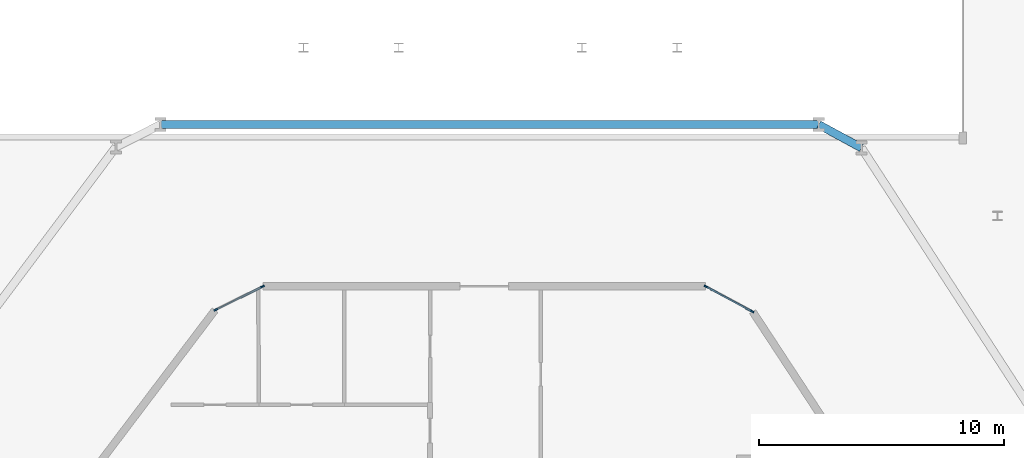
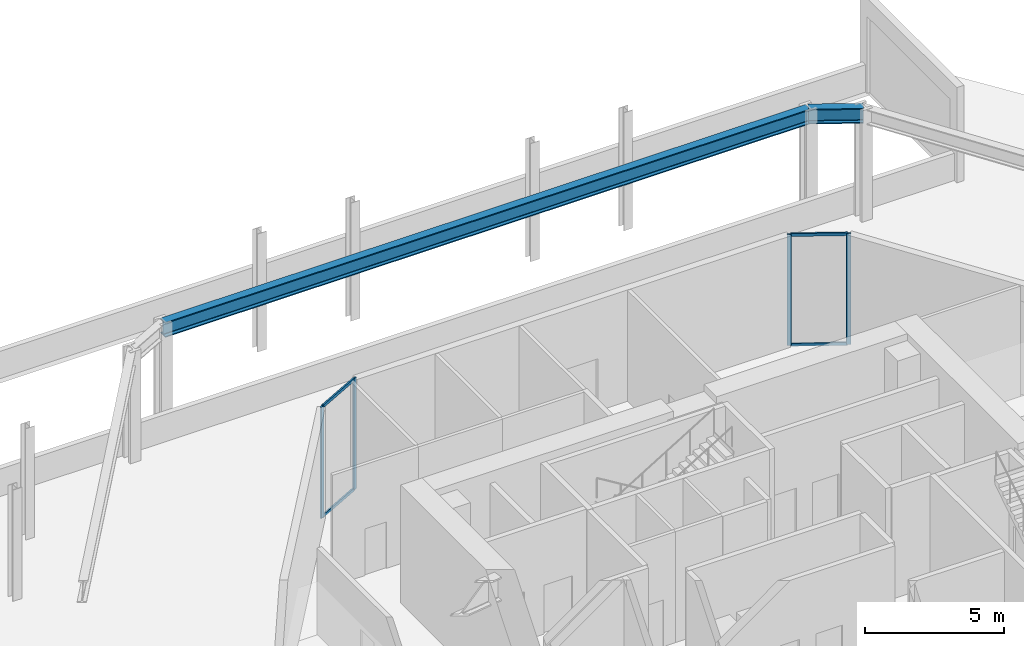
# One storey, part 10 of 18: 8 members, 2 beams, 2 elements without a shape of their own.
"""IFC4 building model written with IfcOpenShell, lengths in metres."""

from ifc_helpers import new_model, si_unit, direction, frame, origin, origin_2d, place, context, subcontext, project, spatial, rectangle, i_section, extrude, source, transform, mapped, material, layer, layer_set, material_profile, profile_set, type_object, type_shapes, element, aggregate, save


model = new_model("IFC4")

# Units and contexts
model_context = context("Model", 3, precision=1e-05, world=origin(), true_north=direction((0.0, 1.0)))
body_context = subcontext(model_context, "Body", "Model", "MODEL_VIEW")
ifc_project = project(units=[si_unit("LENGTHUNIT", "METRE"), si_unit("AREAUNIT", "SQUARE_METRE"), si_unit("VOLUMEUNIT", "CUBIC_METRE"), si_unit("PLANEANGLEUNIT", "RADIAN"), si_unit("MASSUNIT", "GRAM", prefix="KILO")], contexts=[model_context])

# Site, building, storey
site_placement = place(None, origin())
site = spatial("IfcSite", under=ifc_project, at=site_placement, CompositionType="ELEMENT")
building_placement = place(site_placement, origin())
building = spatial("IfcBuilding", under=site, at=building_placement, Name="Durnholm Broadcast Tower", CompositionType="ELEMENT")
storey_placement = place(building_placement, origin())
storey = spatial("IfcBuildingStorey", under=building, at=storey_placement, Name="L00", CompositionType="ELEMENT", Elevation=0.0)

# Beams
ifc_material_1 = material(Name="Steel ASTM A992 Grade 50", Category="steel")
ifc_material_profile_1 = material_profile(ifc_material_1, i_section(OverallWidth=0.3330078125, OverallDepth=0.660888671875, WebThickness=0.0244140625, FlangeThickness=0.0439453125, FilletRadius=0.02783203125, at=origin_2d()), Name="W24X229")
ifc_profile_set_1 = profile_set([ifc_material_profile_1], Name="Steel ASTM A992 Grade 50")
beam_type = type_object("IfcBeamType", Name="STL-SP-W24X229", PredefinedType="SPANDREL", material=ifc_profile_set_1)
shared_shape_1 = source(origin(), body_context, "Body", "SweptSolid", [
    extrude(i_section(OverallWidth=0.3330078125, OverallDepth=0.660888671875, WebThickness=0.0244140625, FlangeThickness=0.0439453125, FilletRadius=0.02783203125, at=origin_2d()), origin(), (0.0, 0.0, 1.0), 26.891357421875),
])
beam_1_placement = place(storey_placement, frame((-12.77197265625, 22.39990234375, 4.5546875), z_axis=(1.0, 0.0, 0.0), x_axis=(0.0, 1.0, 0.0)))
element("IfcBeam", 1, at=beam_1_placement, inside=storey, type_object=beam_type, Name="L00 perimeter spandrel girder 05", PredefinedType="SPANDREL", context=body_context, shape_type="MappedRepresentation", body=[
    mapped(shared_shape_1, transform((0.0, 0.0, 0.0), x_axis=(1.0, 0.0, 0.0), y_axis=(0.0, 1.0, 0.0), z_axis=(0.0, 0.0, 1.0), scale=1.0)),
])
shared_shape_2 = source(origin(), body_context, "Body", "SweptSolid", [
    extrude(i_section(OverallWidth=0.3330078125, OverallDepth=0.660888671875, WebThickness=0.0244140625, FlangeThickness=0.0439453125, FilletRadius=0.02783203125, at=origin_2d()), origin(), (0.0, 0.0, 1.0), 1.98828125),
])
type_shapes(beam_type, [shared_shape_1, shared_shape_2])
beam_2_placement = place(storey_placement, frame((14.119384765625, 22.39990234375, 4.5546875), z_axis=(0.878682739647, -0.477406161508, 0.0), x_axis=(0.477406161508, 0.878682739647, 0.0)))
element("IfcBeam", 2, at=beam_2_placement, inside=storey, type_object=beam_type, Name="L00 perimeter spandrel girder 06", PredefinedType="SPANDREL", context=body_context, shape_type="MappedRepresentation", body=[
    mapped(shared_shape_2, transform((0.0, 0.0, 0.0), x_axis=(1.0, 0.0, 0.0), y_axis=(0.0, 1.0, 0.0), z_axis=(0.0, 0.0, 1.0), scale=1.0)),
])

# Curtain wall, members
ifc_material_2 = material(Name="Aluminium and Solar Control IGU", Category="aluminium")
ifc_layer = layer(ifc_material_2, 0.1650390625)
ifc_layer_set = layer_set([ifc_layer], Name="Aluminium and Solar Control IGU")
curtain_wall_type = type_object("IfcCurtainWallType", Name="CW-SYS-5", PredefinedType="NOTDEFINED", material=ifc_layer_set)
curtain_wall_1_placement = place(storey_placement, origin())
curtain_wall_1 = element("IfcCurtainWall", 3, at=curtain_wall_1_placement, inside=storey, type_object=curtain_wall_type, Name="L00 curtain wall CW-CORNER CW-L00-CRN-03", PredefinedType="NOTDEFINED")
ifc_material_3 = material(Name="Aluminium 6063-T6", Category="aluminium")
ifc_material_profile_2 = material_profile(ifc_material_3, rectangle(XDim=0.06494140625, YDim=0.1650390625, at=origin_2d()), Name="CWM65X165")
ifc_profile_set_2 = profile_set([ifc_material_profile_2], Name="Aluminium 6063-T6")
member_type_1 = type_object("IfcMemberType", Name="CW-SYS-5-MUL", PredefinedType="MULLION", material=ifc_profile_set_2)
shared_shape_3 = source(origin(), body_context, "Body", "SweptSolid", [
    extrude(rectangle(XDim=0.06494140625, YDim=0.1650390625, at=origin_2d()), origin(), (0.0, 0.0, 1.0), 4.89990234375),
])
type_shapes(member_type_1, [shared_shape_3])
member_1_placement = place(storey_placement, frame((-10.519287109375, 14.834228515625, 0.0), z_axis=(0.0, 0.0, 1.0), x_axis=(-0.445558237379, 0.895252957048, 0.0)))
member_1 = element("IfcMember", 4, at=member_1_placement, type_object=member_type_1, Name="CW-CORNER mullion 1", PredefinedType="MULLION", context=body_context, shape_type="MappedRepresentation", body=[
    mapped(shared_shape_3, transform((0.0, 0.0, 0.0), x_axis=(1.0, 0.0, 0.0), y_axis=(0.0, 1.0, 0.0), z_axis=(0.0, 0.0, 1.0), scale=1.0)),
])
member_2_placement = place(storey_placement, frame((-8.608154296875, 15.785400390625, 0.0), z_axis=(0.0, 0.0, 1.0), x_axis=(-0.445558237379, 0.895252957048, 0.0)))
member_2 = element("IfcMember", 5, at=member_2_placement, type_object=member_type_1, Name="CW-CORNER mullion 2", PredefinedType="MULLION", context=body_context, shape_type="MappedRepresentation", body=[
    mapped(shared_shape_3, transform((0.0, 0.0, 0.0), x_axis=(1.0, 0.0, 0.0), y_axis=(0.0, 1.0, 0.0), z_axis=(0.0, 0.0, 1.0), scale=1.0)),
])

curtain_wall_2_placement = place(storey_placement, origin())
curtain_wall_2 = element("IfcCurtainWall", 6, at=curtain_wall_2_placement, inside=storey, type_object=curtain_wall_type, Name="L00 curtain wall CW-CORNER CW-L00-CRN-05", PredefinedType="NOTDEFINED")
member_3_placement = place(storey_placement, frame((9.514892578125, 15.78466796875, 0.0), z_axis=(0.0, 0.0, 1.0), x_axis=(0.475227040022, 0.879863205522, 0.0)))
member_3 = element("IfcMember", 7, at=member_3_placement, type_object=member_type_1, Name="CW-CORNER mullion 1", PredefinedType="MULLION", context=body_context, shape_type="MappedRepresentation", body=[
    mapped(shared_shape_3, transform((0.0, 0.0, 0.0), x_axis=(1.0, 0.0, 0.0), y_axis=(0.0, 1.0, 0.0), z_axis=(0.0, 0.0, 1.0), scale=1.0)),
])
member_4_placement = place(storey_placement, frame((11.393310546875, 14.77001953125, 0.0), z_axis=(0.0, 0.0, 1.0), x_axis=(0.475227040022, 0.879863205522, 0.0)))
member_4 = element("IfcMember", 8, at=member_4_placement, type_object=member_type_1, Name="CW-CORNER mullion 2", PredefinedType="MULLION", context=body_context, shape_type="MappedRepresentation", body=[
    mapped(shared_shape_3, transform((0.0, 0.0, 0.0), x_axis=(1.0, 0.0, 0.0), y_axis=(0.0, 1.0, 0.0), z_axis=(0.0, 0.0, 1.0), scale=1.0)),
])

# Member
ifc_material_profile_3 = material_profile(ifc_material_3, rectangle(XDim=0.06494140625, YDim=0.1298828125, at=origin_2d()), Name="CWT65X130")
ifc_profile_set_3 = profile_set([ifc_material_profile_3], Name="Aluminium 6063-T6")
member_type_2 = type_object("IfcMemberType", Name="CW-SYS-5-TRN", PredefinedType="USERDEFINED", material=ifc_profile_set_3)
shared_shape_4 = source(origin(), body_context, "Body", "SweptSolid", [
    extrude(rectangle(XDim=0.06494140625, YDim=0.1298828125, at=origin_2d()), origin(), (0.0, 0.0, 1.0), 2.06982421875),
])
type_shapes(member_type_2, [shared_shape_4])
member_5_placement = place(storey_placement, frame((-10.490234375, 14.848876953125, 0.032470703125), z_axis=(0.895274850789, 0.44551424393, 0.0), x_axis=(-0.44551424393, 0.895274850789, 0.0)))
member_5 = element("IfcMember", 9, at=member_5_placement, type_object=member_type_2, Name="CW-CORNER transom 1.1", ObjectType="TRANSOM", PredefinedType="USERDEFINED", context=body_context, shape_type="MappedRepresentation", body=[
    mapped(shared_shape_4, transform((0.0, 0.0, 0.0), x_axis=(1.0, 0.0, 0.0), y_axis=(0.0, 1.0, 0.0), z_axis=(0.0, 0.0, 1.0), scale=1.0)),
])

member_6_placement = place(storey_placement, frame((-10.490234375, 14.848876953125, 4.867431640625), z_axis=(0.895274850789, 0.44551424393, 0.0), x_axis=(-0.44551424393, 0.895274850789, 0.0)))
member_6 = element("IfcMember", 10, at=member_6_placement, type_object=member_type_2, Name="CW-CORNER transom 1.2", ObjectType="TRANSOM", PredefinedType="USERDEFINED", context=body_context, shape_type="MappedRepresentation", body=[
    mapped(shared_shape_4, transform((0.0, 0.0, 0.0), x_axis=(1.0, 0.0, 0.0), y_axis=(0.0, 1.0, 0.0), z_axis=(0.0, 0.0, 1.0), scale=1.0)),
])

aggregate(curtain_wall_1, [member_1, member_2, member_5, member_6])

member_7_placement = place(storey_placement, frame((9.54345703125, 15.76904296875, 0.032470703125), z_axis=(0.879875809047, -0.475203704377, 0.0), x_axis=(0.475203704377, 0.879875809047, 0.0)))
member_7 = element("IfcMember", 11, at=member_7_placement, type_object=member_type_2, Name="CW-CORNER transom 1.1", ObjectType="TRANSOM", PredefinedType="USERDEFINED", context=body_context, shape_type="MappedRepresentation", body=[
    mapped(shared_shape_4, transform((0.0, 0.0, 0.0), x_axis=(1.0, 0.0, 0.0), y_axis=(0.0, 1.0, 0.0), z_axis=(0.0, 0.0, 1.0), scale=1.0)),
])

member_8_placement = place(storey_placement, frame((9.54345703125, 15.76904296875, 4.867431640625), z_axis=(0.879875809047, -0.475203704377, 0.0), x_axis=(0.475203704377, 0.879875809047, 0.0)))
member_8 = element("IfcMember", 12, at=member_8_placement, type_object=member_type_2, Name="CW-CORNER transom 1.2", ObjectType="TRANSOM", PredefinedType="USERDEFINED", context=body_context, shape_type="MappedRepresentation", body=[
    mapped(shared_shape_4, transform((0.0, 0.0, 0.0), x_axis=(1.0, 0.0, 0.0), y_axis=(0.0, 1.0, 0.0), z_axis=(0.0, 0.0, 1.0), scale=1.0)),
])

aggregate(curtain_wall_2, [member_3, member_4, member_7, member_8])

save(model, "model.ifc")
